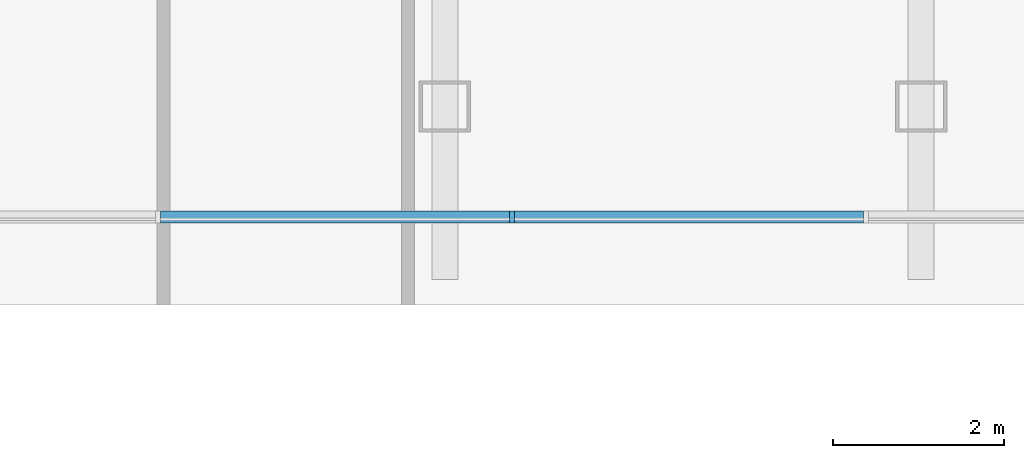
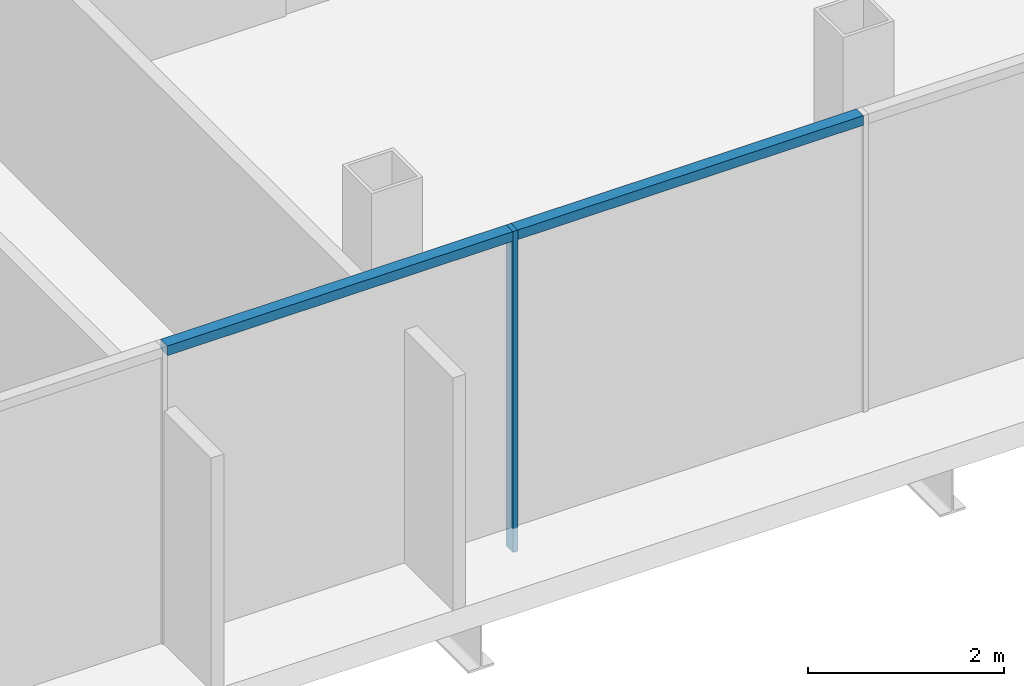
# One storey, part 6 of 26: 3 members, 1 element without a shape of its own.
"""IFC4 building model written with IfcOpenShell, lengths in metres."""

from ifc_helpers import new_model, si_unit, direction, frame, origin, origin_2d, place, context, subcontext, project, spatial, rectangle, extrude, material, material_profile, profile_set, type_object, element, aggregate, save


model = new_model("IFC4")

# Units and contexts
model_context = context("Model", 3, precision=1e-05, world=origin(), true_north=direction((0.0, 1.0)))
body_context = subcontext(model_context, "Body", "Model", "MODEL_VIEW")
ifc_project = project(units=[si_unit("LENGTHUNIT", "METRE"), si_unit("AREAUNIT", "SQUARE_METRE"), si_unit("VOLUMEUNIT", "CUBIC_METRE"), si_unit("PLANEANGLEUNIT", "RADIAN"), si_unit("MASSUNIT", "GRAM", prefix="KILO")], contexts=[model_context])

# Site, building, storey
site_placement = place(None, origin())
site = spatial("IfcSite", under=ifc_project, at=site_placement, CompositionType="ELEMENT")
building_placement = place(site_placement, origin())
building = spatial("IfcBuilding", under=site, at=building_placement, Name="Ogive Gate Towers", CompositionType="ELEMENT")
storey_placement = place(building_placement, frame((0.0, 0.0, 156.800048828125)))
storey = spatial("IfcBuildingStorey", under=building, at=storey_placement, Name="L37", CompositionType="ELEMENT", Elevation=156.800048828125)

# Curtain wall, members
ifc_material = material(Name="Pale metal aluminium", Category="aluminium")
curtain_wall_type = type_object("IfcCurtainWallType", Name="Gate block facade", PredefinedType="NOTDEFINED", material=ifc_material)
curtain_wall_placement = place(storey_placement, origin())
curtain_wall = element("IfcCurtainWall", 1, at=curtain_wall_placement, inside=storey, type_object=curtain_wall_type, Name="CW3 BR ECW01", PredefinedType="NOTDEFINED")
ifc_material_profile_1 = material_profile(ifc_material, rectangle(XDim=0.139892578125, YDim=0.06005859375, at=origin_2d()), Name="60 x 140 aluminium box")
ifc_profile_set_1 = profile_set([ifc_material_profile_1], Name="Pale metal aluminium")
member_type_1 = type_object("IfcMemberType", Name="Gate block facade mullion 60 x 140", PredefinedType="MULLION", material=ifc_profile_set_1)
member_1_placement = place(storey_placement, frame((2.0654296875, -7.787109375, -0.300048828125), z_axis=(0.0, 0.0, 1.0), x_axis=(0.0, -1.0, 0.0)))
member_1 = element("IfcMember", 2, at=member_1_placement, type_object=member_type_1, Name="CW3 mullion", PredefinedType="MULLION", context=body_context, shape_type="SweptSolid", body=[
    extrude(rectangle(XDim=0.139892578125, YDim=0.06005859375, at=origin_2d()), origin(), (0.0, 0.0, 1.0), 4.0),
])
ifc_material_profile_2 = material_profile(ifc_material, rectangle(XDim=0.139892578125, YDim=0.1201171875, at=origin_2d()), Name="120 x 140 aluminium box")
ifc_profile_set_2 = profile_set([ifc_material_profile_2], Name="Pale metal aluminium")
member_type_2 = type_object("IfcMemberType", Name="Gate block facade transom 120 x 140", PredefinedType="USERDEFINED", material=ifc_profile_set_2)
member_2_placement = place(storey_placement, frame((-2.035400390625, -7.787109375, 3.639892578125), z_axis=(1.0, 0.0, 0.0), x_axis=(0.0, 1.0, 0.0)))
member_2 = element("IfcMember", 3, at=member_2_placement, type_object=member_type_2, Name="CW3 transom", ObjectType="TRANSOM", PredefinedType="USERDEFINED", context=body_context, shape_type="SweptSolid", body=[
    extrude(rectangle(XDim=0.139892578125, YDim=0.1201171875, at=origin_2d()), origin(), (0.0, 0.0, 1.0), 4.07080078125),
])
member_3_placement = place(storey_placement, frame((2.095458984375, -7.787109375, 3.639892578125), z_axis=(1.0, 0.0, 0.0), x_axis=(0.0, 1.0, 0.0)))
member_3 = element("IfcMember", 4, at=member_3_placement, type_object=member_type_2, Name="CW3 transom", ObjectType="TRANSOM", PredefinedType="USERDEFINED", context=body_context, shape_type="SweptSolid", body=[
    extrude(rectangle(XDim=0.139892578125, YDim=0.1201171875, at=origin_2d()), origin(), (0.0, 0.0, 1.0), 4.071044921875),
])
aggregate(curtain_wall, [member_1, member_2, member_3])

save(model, "model.ifc")
